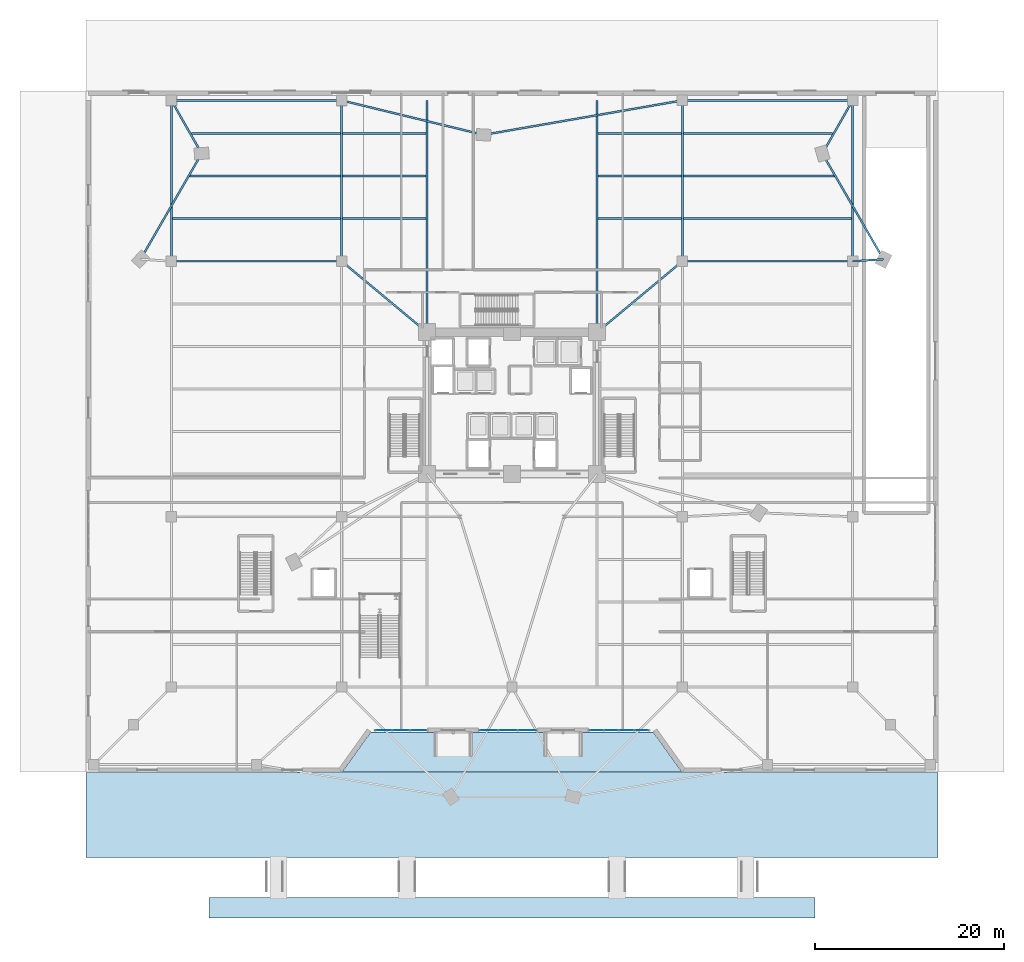
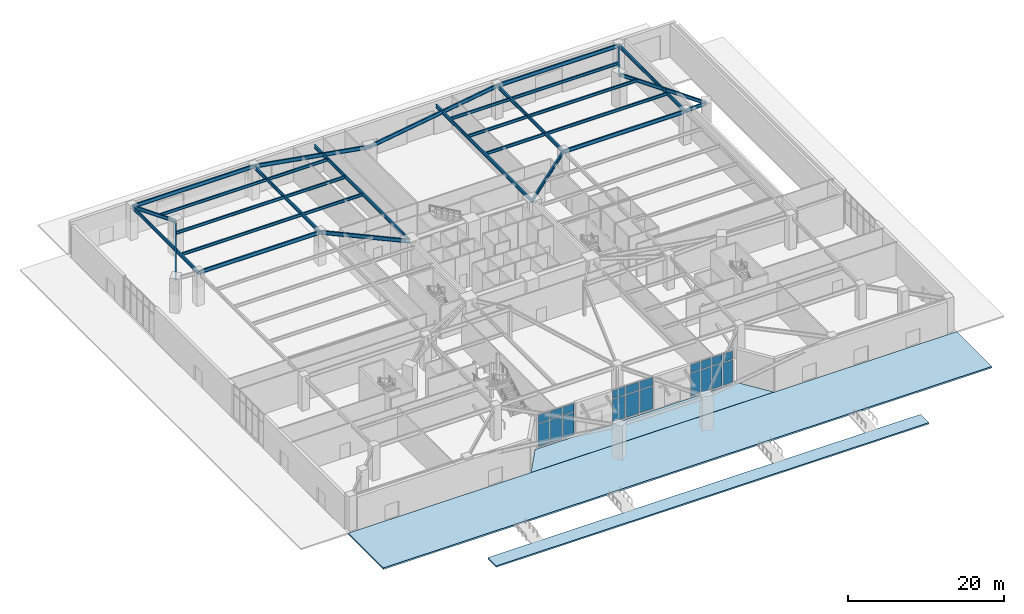
# One storey, part 14 of 30: 31 beams, 20 plates, 3 slabs, 3 elements without a shape of their own.
"""IFC4 building model written with IfcOpenShell, lengths in metres."""

from ifc_helpers import new_model, si_unit, direction, frame, origin, origin_2d, place, context, subcontext, project, spatial, polyline, rectangle, i_section, outline, extrude, source, transform, mapped, material, layer, layer_set, material_profile, profile_set, type_object, element, aggregate, save


model = new_model("IFC4")

# Units and contexts
model_context = context("Model", 3, precision=1e-05, world=origin(), true_north=direction((0.0, 1.0)))
body_context = subcontext(model_context, "Body", "Model", "MODEL_VIEW")
ifc_project = project(units=[si_unit("LENGTHUNIT", "METRE"), si_unit("AREAUNIT", "SQUARE_METRE"), si_unit("VOLUMEUNIT", "CUBIC_METRE"), si_unit("PLANEANGLEUNIT", "RADIAN"), si_unit("MASSUNIT", "GRAM", prefix="KILO")], contexts=[model_context])

# Site, building, storey
site_placement = place(None, origin())
site = spatial("IfcSite", under=ifc_project, at=site_placement, CompositionType="ELEMENT")
building_placement = place(site_placement, origin())
building = spatial("IfcBuilding", under=site, at=building_placement, Name="Liaohun Quay Tower", CompositionType="ELEMENT")
storey_placement = place(building_placement, origin())
storey = spatial("IfcBuildingStorey", under=building, at=storey_placement, Name="L01", CompositionType="ELEMENT", Elevation=0.0)

# Beams
ifc_material_1 = material(Name="Steel Q355D", Category="steel")
ifc_material_profile_1 = material_profile(ifc_material_1, i_section(OverallWidth=0.199951171875, OverallDepth=0.449951171875, WebThickness=0.009033203125, FlangeThickness=0.013916015625, at=origin_2d()), Name="HN450x200x9x14")
ifc_profile_set_1 = profile_set([ifc_material_profile_1], Name="Steel Q355D")
beam_type_1 = type_object("IfcBeamType", Name="BM-SEC-J1", PredefinedType="JOIST", material=ifc_profile_set_1)
shared_shape_1 = source(origin(), body_context, "Body", "SweptSolid", [
    extrude(i_section(OverallWidth=0.199951171875, OverallDepth=0.449951171875, WebThickness=0.009033203125, FlangeThickness=0.013916015625, at=origin_2d()), origin(), (0.0, 0.0, 1.0), 8.7998046875),
])
for number, where, z_axis, x_axis, name in (
    (1, (42.10009765625, 73.5, 4.925048828125), (1.0, 0.0, 0.0), (0.0, 1.0, 0.0), "L01 Composite Floor Joist SJ-20"),
    (2, (42.10009765625, 78.0, 4.925048828125), (1.0, 0.0, 0.0), (0.0, 1.0, 0.0), "L01 Composite Floor Joist SJ-21"),
    (3, (42.10009765625, 82.5, 4.925048828125), (1.0, 0.0, 0.0), (0.0, 1.0, 0.0), "L01 Composite Floor Joist SJ-22"),
    (4, (69.10009765625, 73.5, 4.925048828125), (1.0, 0.0, 0.0), (0.0, 1.0, 0.0), "L01 Composite Floor Joist SJ-31"),
    (5, (69.10009765625, 78.0, 4.925048828125), (1.0, 0.0, 0.0), (0.0, 1.0, 0.0), "L01 Composite Floor Joist SJ-32"),
    (6, (69.10009765625, 82.5, 4.925048828125), (1.0, 0.0, 0.0), (0.0, 1.0, 0.0), "L01 Composite Floor Joist SJ-33"),
):
    element("IfcBeam", number, at=place(storey_placement, frame(where, z_axis=z_axis, x_axis=x_axis)), inside=storey, type_object=beam_type_1, Name=name, PredefinedType="JOIST", context=body_context, shape_type="MappedRepresentation", body=[
        mapped(shared_shape_1, transform((0.0, 0.0, 0.0), x_axis=(1.0, 0.0, 0.0), y_axis=(0.0, 1.0, 0.0), z_axis=(0.0, 0.0, 1.0), scale=1.0)),
    ])
shared_shape_2 = source(origin(), body_context, "Body", "SweptSolid", [
    extrude(i_section(OverallWidth=0.199951171875, OverallDepth=0.449951171875, WebThickness=0.009033203125, FlangeThickness=0.013916015625, at=origin_2d()), origin(), (0.0, 0.0, 1.0), 17.7998046875),
])
for number, where, z_axis, x_axis, name in (
    (7, (24.10009765625, 73.5, 4.925048828125), (1.0, 0.0, 0.0), (0.0, 1.0, 0.0), "L01 Composite Floor Joist SJ-09"),
    (8, (78.10009765625, 73.5, 4.925048828125), (1.0, 0.0, 0.0), (0.0, 1.0, 0.0), "L01 Composite Floor Joist SJ-42"),
):
    element("IfcBeam", number, at=place(storey_placement, frame(where, z_axis=z_axis, x_axis=x_axis)), inside=storey, type_object=beam_type_1, Name=name, PredefinedType="JOIST", context=body_context, shape_type="MappedRepresentation", body=[
        mapped(shared_shape_2, transform((0.0, 0.0, 0.0), x_axis=(1.0, 0.0, 0.0), y_axis=(0.0, 1.0, 0.0), z_axis=(0.0, 0.0, 1.0), scale=1.0)),
    ])
shared_shape_3 = source(origin(), body_context, "Body", "SweptSolid", [
    extrude(i_section(OverallWidth=0.199951171875, OverallDepth=0.449951171875, WebThickness=0.009033203125, FlangeThickness=0.013916015625, at=origin_2d()), origin(), (0.0, 0.0, 1.0), 15.9658203125),
])
beam_1_placement = place(storey_placement, frame((25.93408203125, 78.0, 4.925048828125), z_axis=(1.0, 0.0, 0.0), x_axis=(0.0, 1.0, 0.0)))
element("IfcBeam", 9, at=beam_1_placement, inside=storey, type_object=beam_type_1, Name="L01 Composite Floor Joist SJ-10", PredefinedType="JOIST", context=body_context, shape_type="MappedRepresentation", body=[
    mapped(shared_shape_3, transform((0.0, 0.0, 0.0), x_axis=(1.0, 0.0, 0.0), y_axis=(0.0, 1.0, 0.0), z_axis=(0.0, 0.0, 1.0), scale=1.0)),
])
shared_shape_4 = source(origin(), body_context, "Body", "SweptSolid", [
    extrude(i_section(OverallWidth=0.199951171875, OverallDepth=0.449951171875, WebThickness=0.009033203125, FlangeThickness=0.013916015625, at=origin_2d()), origin(), (0.0, 0.0, 1.0), 15.788818359375),
])
beam_2_placement = place(storey_placement, frame((26.111083984375, 82.5, 4.925048828125), z_axis=(1.0, 0.0, 0.0), x_axis=(0.0, 1.0, 0.0)))
element("IfcBeam", 10, at=beam_2_placement, inside=storey, type_object=beam_type_1, Name="L01 Composite Floor Joist SJ-11", PredefinedType="JOIST", context=body_context, shape_type="MappedRepresentation", body=[
    mapped(shared_shape_4, transform((0.0, 0.0, 0.0), x_axis=(1.0, 0.0, 0.0), y_axis=(0.0, 1.0, 0.0), z_axis=(0.0, 0.0, 1.0), scale=1.0)),
])
shared_shape_5 = source(origin(), body_context, "Body", "SweptSolid", [
    extrude(i_section(OverallWidth=0.199951171875, OverallDepth=0.449951171875, WebThickness=0.009033203125, FlangeThickness=0.013916015625, at=origin_2d()), origin(), (0.0, 0.0, 1.0), 15.96484375),
])
beam_3_placement = place(storey_placement, frame((78.10009765625, 78.0, 4.925048828125), z_axis=(1.0, 0.0, 0.0), x_axis=(0.0, 1.0, 0.0)))
element("IfcBeam", 11, at=beam_3_placement, inside=storey, type_object=beam_type_1, Name="L01 Composite Floor Joist SJ-43", PredefinedType="JOIST", context=body_context, shape_type="MappedRepresentation", body=[
    mapped(shared_shape_5, transform((0.0, 0.0, 0.0), x_axis=(1.0, 0.0, 0.0), y_axis=(0.0, 1.0, 0.0), z_axis=(0.0, 0.0, 1.0), scale=1.0)),
])
shared_shape_6 = source(origin(), body_context, "Body", "SweptSolid", [
    extrude(i_section(OverallWidth=0.199951171875, OverallDepth=0.449951171875, WebThickness=0.009033203125, FlangeThickness=0.013916015625, at=origin_2d()), origin(), (0.0, 0.0, 1.0), 15.7919921875),
])
beam_4_placement = place(storey_placement, frame((78.10009765625, 82.5, 4.925048828125), z_axis=(1.0, 0.0, 0.0), x_axis=(0.0, 1.0, 0.0)))
element("IfcBeam", 12, at=beam_4_placement, inside=storey, type_object=beam_type_1, Name="L01 Composite Floor Joist SJ-44", PredefinedType="JOIST", context=body_context, shape_type="MappedRepresentation", body=[
    mapped(shared_shape_6, transform((0.0, 0.0, 0.0), x_axis=(1.0, 0.0, 0.0), y_axis=(0.0, 1.0, 0.0), z_axis=(0.0, 0.0, 1.0), scale=1.0)),
])
ifc_material_profile_2 = material_profile(ifc_material_1, i_section(OverallWidth=0.199951171875, OverallDepth=0.60009765625, WebThickness=0.010986328125, FlangeThickness=0.01708984375, at=origin_2d()), Name="HN600x200x11x17")
ifc_profile_set_2 = profile_set([ifc_material_profile_2], Name="Steel Q355D")
beam_type_2 = type_object("IfcBeamType", Name="BM-POD-G1", PredefinedType="BEAM", material=ifc_profile_set_2)
shared_shape_7 = source(origin(), body_context, "Body", "SweptSolid", [
    extrude(i_section(OverallWidth=0.199951171875, OverallDepth=0.60009765625, WebThickness=0.010986328125, FlangeThickness=0.01708984375, at=origin_2d()), origin(), (0.0, 0.0, 1.0), 18.0),
])
for number, where, z_axis, x_axis, name in (
    (13, (24.0, 69.0, 4.85009765625), (1.0, 0.0, 0.0), (0.0, 1.0, 0.0), "L01 Primary Grid Girder PG10-PG11"),
    (14, (78.0, 69.0, 4.85009765625), (1.0, 0.0, 0.0), (0.0, 1.0, 0.0), "L01 Primary Grid Girder PG12-PG13"),
    (15, (24.0, 86.0, 4.85009765625), (1.0, 0.0, 0.0), (0.0, 1.0, 0.0), "L01 Primary Grid Girder PG14-PG15"),
    (16, (78.0, 86.0, 4.85009765625), (1.0, 0.0, 0.0), (0.0, 1.0, 0.0), "L01 Primary Grid Girder PG17-PG18"),
):
    element("IfcBeam", number, at=place(storey_placement, frame(where, z_axis=z_axis, x_axis=x_axis)), inside=storey, type_object=beam_type_2, Name=name, PredefinedType="BEAM", context=body_context, shape_type="MappedRepresentation", body=[
        mapped(shared_shape_7, transform((0.0, 0.0, 0.0), x_axis=(1.0, 0.0, 0.0), y_axis=(0.0, 1.0, 0.0), z_axis=(0.0, 0.0, 1.0), scale=1.0)),
    ])
shared_shape_8 = source(origin(), body_context, "Body", "SweptSolid", [
    extrude(i_section(OverallWidth=0.199951171875, OverallDepth=0.60009765625, WebThickness=0.010986328125, FlangeThickness=0.01708984375, at=origin_2d()), origin(), (0.0, 0.0, 1.0), 11.71533203125),
])
for number, where, z_axis, x_axis, name in (
    (17, (42.0, 69.0, 4.85009765625), (0.768221279597, -0.640184399664, 0.0), (0.640184399664, 0.768221279597, 0.0), "L01 Primary Grid Girder PG11-CC6"),
    (18, (69.0, 61.5, 4.85009765625), (0.768221279597, 0.640184399664, 0.0), (-0.640184399664, 0.768221279597, 0.0), "L01 Primary Grid Girder CC4-PG12"),
):
    element("IfcBeam", number, at=place(storey_placement, frame(where, z_axis=z_axis, x_axis=x_axis)), inside=storey, type_object=beam_type_2, Name=name, PredefinedType="BEAM", context=body_context, shape_type="MappedRepresentation", body=[
        mapped(shared_shape_8, transform((0.0, 0.0, 0.0), x_axis=(1.0, 0.0, 0.0), y_axis=(0.0, 1.0, 0.0), z_axis=(0.0, 0.0, 1.0), scale=1.0)),
    ])
shared_shape_9 = source(origin(), body_context, "Body", "SweptSolid", [
    extrude(i_section(OverallWidth=0.199951171875, OverallDepth=0.60009765625, WebThickness=0.010986328125, FlangeThickness=0.01708984375, at=origin_2d()), origin(), (0.0, 0.0, 1.0), 15.4306640625),
])
beam_5_placement = place(storey_placement, frame((42.0, 86.0, 4.85009765625), z_axis=(0.971780133719, -0.235888473032, 0.0), x_axis=(0.235888473032, 0.971780133719, 0.0)))
element("IfcBeam", 19, at=beam_5_placement, inside=storey, type_object=beam_type_2, Name="L01 Primary Grid Girder PG15-PC06", PredefinedType="BEAM", context=body_context, shape_type="MappedRepresentation", body=[
    mapped(shared_shape_9, transform((0.0, 0.0, 0.0), x_axis=(1.0, 0.0, 0.0), y_axis=(0.0, 1.0, 0.0), z_axis=(0.0, 0.0, 1.0), scale=1.0)),
])
shared_shape_10 = source(origin(), body_context, "Body", "SweptSolid", [
    extrude(i_section(OverallWidth=0.199951171875, OverallDepth=0.60009765625, WebThickness=0.010986328125, FlangeThickness=0.01708984375, at=origin_2d()), origin(), (0.0, 0.0, 1.0), 21.31787109375),
])
beam_6_placement = place(storey_placement, frame((56.9951171875, 82.360107421875, 4.85009765625), z_axis=(0.985315548274, 0.170743287801, 0.0), x_axis=(-0.170743287801, 0.985315548274, 0.0)))
element("IfcBeam", 20, at=beam_6_placement, inside=storey, type_object=beam_type_2, Name="L01 Primary Grid Girder PC06-PG17", PredefinedType="BEAM", context=body_context, shape_type="MappedRepresentation", body=[
    mapped(shared_shape_10, transform((0.0, 0.0, 0.0), x_axis=(1.0, 0.0, 0.0), y_axis=(0.0, 1.0, 0.0), z_axis=(0.0, 0.0, 1.0), scale=1.0)),
])
ifc_material_profile_3 = material_profile(ifc_material_1, i_section(OverallWidth=0.199951171875, OverallDepth=0.550048828125, WebThickness=0.010009765625, FlangeThickness=0.01611328125, at=origin_2d()), Name="HN550x200x10x16")
ifc_profile_set_3 = profile_set([ifc_material_profile_3], Name="Steel Q355D")
beam_type_3 = type_object("IfcBeamType", Name="BM-POD-G2", PredefinedType="BEAM", material=ifc_profile_set_3)
shared_shape_11 = source(origin(), body_context, "Body", "SweptSolid", [
    extrude(i_section(OverallWidth=0.199951171875, OverallDepth=0.550048828125, WebThickness=0.010009765625, FlangeThickness=0.01611328125, at=origin_2d()), origin(), (0.0, 0.0, 1.0), 17.0),
])
for number, where, z_axis, x_axis, name in (
    (21, (24.0, 69.0, 4.875), (0.0, 1.0, 0.0), (-1.0, 0.0, 0.0), "L01 Primary Grid Girder PG10-PG14"),
    (22, (42.0, 69.0, 4.875), (0.0, 1.0, 0.0), (-1.0, 0.0, 0.0), "L01 Primary Grid Girder PG11-PG15"),
    (23, (78.0, 69.0, 4.875), (0.0, 1.0, 0.0), (-1.0, 0.0, 0.0), "L01 Primary Grid Girder PG12-PG17"),
    (24, (96.0, 69.0, 4.875), (0.0, 1.0, 0.0), (-1.0, 0.0, 0.0), "L01 Primary Grid Girder PG13-PG18"),
):
    element("IfcBeam", number, at=place(storey_placement, frame(where, z_axis=z_axis, x_axis=x_axis)), inside=storey, type_object=beam_type_3, Name=name, PredefinedType="BEAM", context=body_context, shape_type="MappedRepresentation", body=[
        mapped(shared_shape_11, transform((0.0, 0.0, 0.0), x_axis=(1.0, 0.0, 0.0), y_axis=(0.0, 1.0, 0.0), z_axis=(0.0, 0.0, 1.0), scale=1.0)),
    ])
shared_shape_12 = source(origin(), body_context, "Body", "SweptSolid", [
    extrude(i_section(OverallWidth=0.199951171875, OverallDepth=0.550048828125, WebThickness=0.010009765625, FlangeThickness=0.01611328125, at=origin_2d()), origin(), (0.0, 0.0, 1.0), 6.45703125),
])
beam_7_placement = place(storey_placement, frame((27.198974609375, 80.39111328125, 4.875), z_axis=(-0.49542619565, 0.868650035782, 0.0), x_axis=(-0.868650035782, -0.49542619565, 0.0)))
element("IfcBeam", 25, at=beam_7_placement, inside=storey, type_object=beam_type_3, Name="L01 Primary Grid Girder PC05-PG14", PredefinedType="BEAM", context=body_context, shape_type="MappedRepresentation", body=[
    mapped(shared_shape_12, transform((0.0, 0.0, 0.0), x_axis=(1.0, 0.0, 0.0), y_axis=(0.0, 1.0, 0.0), z_axis=(0.0, 0.0, 1.0), scale=1.0)),
])
shared_shape_13 = source(origin(), body_context, "Body", "SweptSolid", [
    extrude(i_section(OverallWidth=0.199951171875, OverallDepth=0.550048828125, WebThickness=0.010009765625, FlangeThickness=0.01611328125, at=origin_2d()), origin(), (0.0, 0.0, 1.0), 12.902587890625),
])
beam_8_placement = place(storey_placement, frame((20.748046875, 69.217041015625, 4.875), z_axis=(0.49997524318, 0.866039696669, 0.0), x_axis=(-0.866039696669, 0.49997524318, 0.0)))
element("IfcBeam", 26, at=beam_8_placement, inside=storey, type_object=beam_type_3, Name="L01 Primary Grid Girder PC03-PC05", PredefinedType="BEAM", context=body_context, shape_type="MappedRepresentation", body=[
    mapped(shared_shape_13, transform((0.0, 0.0, 0.0), x_axis=(1.0, 0.0, 0.0), y_axis=(0.0, 1.0, 0.0), z_axis=(0.0, 0.0, 1.0), scale=1.0)),
])
shared_shape_14 = source(origin(), body_context, "Body", "SweptSolid", [
    extrude(i_section(OverallWidth=0.199951171875, OverallDepth=0.550048828125, WebThickness=0.010009765625, FlangeThickness=0.01611328125, at=origin_2d()), origin(), (0.0, 0.0, 1.0), 6.462158203125),
])
beam_9_placement = place(storey_placement, frame((92.802978515625, 80.384033203125, 4.875), z_axis=(0.494726480393, 0.869048738333, 0.0), x_axis=(-0.869048738333, 0.494726480393, 0.0)))
element("IfcBeam", 27, at=beam_9_placement, inside=storey, type_object=beam_type_3, Name="L01 Primary Grid Girder PC07-PG18", PredefinedType="BEAM", context=body_context, shape_type="MappedRepresentation", body=[
    mapped(shared_shape_14, transform((0.0, 0.0, 0.0), x_axis=(1.0, 0.0, 0.0), y_axis=(0.0, 1.0, 0.0), z_axis=(0.0, 0.0, 1.0), scale=1.0)),
])
shared_shape_15 = source(origin(), body_context, "Body", "SweptSolid", [
    extrude(i_section(OverallWidth=0.199951171875, OverallDepth=0.550048828125, WebThickness=0.010009765625, FlangeThickness=0.01611328125, at=origin_2d()), origin(), (0.0, 0.0, 1.0), 3.262939453125),
])
beam_10_placement = place(storey_placement, frame((99.256103515625, 69.2119140625, 4.875), z_axis=(-0.997888864182, -0.064944705264, 0.0), x_axis=(0.064944705264, -0.997888864182, 0.0)))
element("IfcBeam", 28, at=beam_10_placement, inside=storey, type_object=beam_type_3, Name="L01 Primary Grid Girder PC09-PG13", PredefinedType="BEAM", context=body_context, shape_type="MappedRepresentation", body=[
    mapped(shared_shape_15, transform((0.0, 0.0, 0.0), x_axis=(1.0, 0.0, 0.0), y_axis=(0.0, 1.0, 0.0), z_axis=(0.0, 0.0, 1.0), scale=1.0)),
])
shared_shape_16 = source(origin(), body_context, "Body", "SweptSolid", [
    extrude(i_section(OverallWidth=0.199951171875, OverallDepth=0.550048828125, WebThickness=0.010009765625, FlangeThickness=0.01611328125, at=origin_2d()), origin(), (0.0, 0.0, 1.0), 12.90185546875),
])
beam_11_placement = place(storey_placement, frame((92.802978515625, 80.384033203125, 4.875), z_axis=(0.500168512593, -0.865928091131, 0.0), x_axis=(0.865928091131, 0.500168512593, 0.0)))
element("IfcBeam", 29, at=beam_11_placement, inside=storey, type_object=beam_type_3, Name="L01 Primary Grid Girder PC07-PC09", PredefinedType="BEAM", context=body_context, shape_type="MappedRepresentation", body=[
    mapped(shared_shape_16, transform((0.0, 0.0, 0.0), x_axis=(1.0, 0.0, 0.0), y_axis=(0.0, 1.0, 0.0), z_axis=(0.0, 0.0, 1.0), scale=1.0)),
])
shared_shape_17 = source(origin(), body_context, "Body", "SweptSolid", [
    extrude(i_section(OverallWidth=0.199951171875, OverallDepth=0.550048828125, WebThickness=0.010009765625, FlangeThickness=0.01611328125, at=origin_2d()), origin(), (0.0, 0.0, 1.0), 24.5),
])
for number, where, z_axis, x_axis, name in (
    (30, (51.0, 61.5, 4.875), (0.0, 1.0, 0.0), (-1.0, 0.0, 0.0), "L01 Spine Girder X51-N"),
    (31, (69.0, 61.5, 4.875), (0.0, 1.0, 0.0), (-1.0, 0.0, 0.0), "L01 Spine Girder X69-N"),
):
    element("IfcBeam", number, at=place(storey_placement, frame(where, z_axis=z_axis, x_axis=x_axis)), inside=storey, type_object=beam_type_3, Name=name, PredefinedType="BEAM", context=body_context, shape_type="MappedRepresentation", body=[
        mapped(shared_shape_17, transform((0.0, 0.0, 0.0), x_axis=(1.0, 0.0, 0.0), y_axis=(0.0, 1.0, 0.0), z_axis=(0.0, 0.0, 1.0), scale=1.0)),
    ])

# Slabs
ifc_material_2 = material(Name="Granite stone slab on Concrete C40", Category="masonry")
ifc_layer_1 = layer(ifc_material_2, 0.219970703125, Name="Granite stone slab on Concrete C40", Category="masonry")
ifc_layer_set_1 = layer_set([ifc_layer_1], Name="Granite stone slab on Concrete C40")
slab_type = type_object("IfcSlabType", Name="SLB-PAV-220", PredefinedType="USERDEFINED", material=ifc_layer_set_1)
slab_1_placement = place(storey_placement, frame((0.0, 0.0, -0.25)))
element("IfcSlab", 32, at=slab_1_placement, inside=storey, type_object=slab_type, Name="South Waterfront Upper Promenade Plaza", ObjectType="PAVING", PredefinedType="USERDEFINED", context=body_context, shape_type="SweptSolid", body=[
    extrude(outline(polyline([(15.0, 6.0), (105.0, 6.0), (105.0, 14.97998046875), (15.0, 14.97998046875), (15.0, 6.0)])), origin(), (0.0, 0.0, 1.0), 0.25),
])
slab_2_placement = place(storey_placement, frame((0.0, 0.0, -0.219970703125)))
element("IfcSlab", 33, at=slab_2_placement, inside=storey, type_object=slab_type, Name="Riverfront Recessed Portico Forecourt", ObjectType="PAVING", PredefinedType="USERDEFINED", context=body_context, shape_type="SweptSolid", body=[
    extrude(outline(polyline([(42.030029296875, 15.0), (77.969970703125, 15.0), (74.969970703125, 19.179931640625), (45.030029296875, 19.179931640625), (42.030029296875, 15.0)])), origin(), (0.0, 0.0, 1.0), 0.219970703125),
])
slab_3_placement = place(storey_placement, frame((0.0, 0.0, -0.580078125)))
element("IfcSlab", 34, at=slab_3_placement, inside=storey, type_object=slab_type, Name="Hun River Lower Quay Viewing Apron", ObjectType="PAVING", PredefinedType="USERDEFINED", context=body_context, shape_type="SweptSolid", body=[
    extrude(outline(polyline([(28.0, -0.39990234375), (92.0, -0.39990234375), (92.0, 1.75), (28.0, 1.75), (28.0, -0.39990234375)])), origin(), (0.0, 0.0, 1.0), 0.219970703125),
])

# Curtain wall, plates
ifc_material_3 = material(Name="Thermally broken waterfront lobby unitised curtain wall")
ifc_layer_2 = layer(ifc_material_3, 0.219970703125, Name="Thermally broken waterfront lobby unitised curtain wall")
ifc_layer_set_2 = layer_set([ifc_layer_2], Name="Thermally broken waterfront lobby unitised curtain wall")
curtain_wall_type = type_object("IfcCurtainWallType", Name="CW-POD-PROM", PredefinedType="NOTDEFINED", material=ifc_layer_set_2)
curtain_wall_1_placement = place(storey_placement, origin())
curtain_wall_1 = element("IfcCurtainWall", 35, at=curtain_wall_1_placement, inside=storey, type_object=curtain_wall_type, Name="L01 Waterfront Lobby Curtain Wall CW1-1", PredefinedType="NOTDEFINED")
ifc_material_4 = material(Name="Triple Low-E clear insulated glass unit", Category="glass")
ifc_layer_3 = layer(ifc_material_4, 0.0439453125, Name="Triple Low-E clear insulated glass unit", Category="glass")
ifc_layer_set_3 = layer_set([ifc_layer_3], Name="Triple Low-E clear insulated glass unit")
plate_type = type_object("IfcPlateType", Name="PLT-CWP-GLZ1", PredefinedType="CURTAIN_PANEL", material=ifc_layer_set_3)
shared_shape_18 = source(origin(), body_context, "Body", "SweptSolid", [
    extrude(rectangle(XDim=1.686767578125, YDim=0.0439453125, at=origin_2d()), origin(), (0.0, 0.0, 1.0), 3.55810546875),
])
plate_1_placement = place(storey_placement, frame((46.4453125, 19.429931640625, 0.099853515625), z_axis=(0.0, 0.0, 1.0), x_axis=(1.0, 0.0, 0.0)))
plate_1 = element("IfcPlate", 36, at=plate_1_placement, type_object=plate_type, Name="CW1 panel 1.1", PredefinedType="CURTAIN_PANEL", context=body_context, shape_type="MappedRepresentation", body=[
    mapped(shared_shape_18, transform((0.0, 0.0, 0.0), x_axis=(1.0, 0.0, 0.0), y_axis=(0.0, 1.0, 0.0), z_axis=(0.0, 0.0, 1.0), scale=1.0)),
])
plate_2_placement = place(storey_placement, frame((50.11865234375, 19.429931640625, 0.099853515625), z_axis=(0.0, 0.0, 1.0), x_axis=(1.0, 0.0, 0.0)))
plate_2 = element("IfcPlate", 37, at=plate_2_placement, type_object=plate_type, Name="CW1 panel 3.1", PredefinedType="CURTAIN_PANEL", context=body_context, shape_type="MappedRepresentation", body=[
    mapped(shared_shape_18, transform((0.0, 0.0, 0.0), x_axis=(1.0, 0.0, 0.0), y_axis=(0.0, 1.0, 0.0), z_axis=(0.0, 0.0, 1.0), scale=1.0)),
])
shared_shape_19 = source(origin(), body_context, "Body", "SweptSolid", [
    extrude(rectangle(XDim=1.686767578125, YDim=0.0439453125, at=origin_2d()), origin(), (0.0, 0.0, 1.0), 1.2919921875),
])
plate_3_placement = place(storey_placement, frame((46.4453125, 19.429931640625, 3.758056640625), z_axis=(0.0, 0.0, 1.0), x_axis=(1.0, 0.0, 0.0)))
plate_3 = element("IfcPlate", 38, at=plate_3_placement, type_object=plate_type, Name="CW1 panel 1.2", PredefinedType="CURTAIN_PANEL", context=body_context, shape_type="MappedRepresentation", body=[
    mapped(shared_shape_19, transform((0.0, 0.0, 0.0), x_axis=(1.0, 0.0, 0.0), y_axis=(0.0, 1.0, 0.0), z_axis=(0.0, 0.0, 1.0), scale=1.0)),
])
plate_4_placement = place(storey_placement, frame((50.11865234375, 19.429931640625, 3.758056640625), z_axis=(0.0, 0.0, 1.0), x_axis=(1.0, 0.0, 0.0)))
plate_4 = element("IfcPlate", 39, at=plate_4_placement, type_object=plate_type, Name="CW1 panel 3.2", PredefinedType="CURTAIN_PANEL", context=body_context, shape_type="MappedRepresentation", body=[
    mapped(shared_shape_19, transform((0.0, 0.0, 0.0), x_axis=(1.0, 0.0, 0.0), y_axis=(0.0, 1.0, 0.0), z_axis=(0.0, 0.0, 1.0), scale=1.0)),
])
shared_shape_20 = source(origin(), body_context, "Body", "SweptSolid", [
    extrude(rectangle(XDim=1.74658203125, YDim=0.0439453125, at=origin_2d()), origin(), (0.0, 0.0, 1.0), 3.55810546875),
])
plate_5_placement = place(storey_placement, frame((48.281982421875, 19.429931640625, 0.099853515625), z_axis=(0.0, 0.0, 1.0), x_axis=(1.0, 0.0, 0.0)))
plate_5 = element("IfcPlate", 40, at=plate_5_placement, type_object=plate_type, Name="CW1 panel 2.1", PredefinedType="CURTAIN_PANEL", context=body_context, shape_type="MappedRepresentation", body=[
    mapped(shared_shape_20, transform((0.0, 0.0, 0.0), x_axis=(1.0, 0.0, 0.0), y_axis=(0.0, 1.0, 0.0), z_axis=(0.0, 0.0, 1.0), scale=1.0)),
])
shared_shape_21 = source(origin(), body_context, "Body", "SweptSolid", [
    extrude(rectangle(XDim=1.74658203125, YDim=0.0439453125, at=origin_2d()), origin(), (0.0, 0.0, 1.0), 1.2919921875),
])
plate_6_placement = place(storey_placement, frame((48.281982421875, 19.429931640625, 3.758056640625), z_axis=(0.0, 0.0, 1.0), x_axis=(1.0, 0.0, 0.0)))
plate_6 = element("IfcPlate", 41, at=plate_6_placement, type_object=plate_type, Name="CW1 panel 2.2", PredefinedType="CURTAIN_PANEL", context=body_context, shape_type="MappedRepresentation", body=[
    mapped(shared_shape_21, transform((0.0, 0.0, 0.0), x_axis=(1.0, 0.0, 0.0), y_axis=(0.0, 1.0, 0.0), z_axis=(0.0, 0.0, 1.0), scale=1.0)),
])
aggregate(curtain_wall_1, [plate_1, plate_3, plate_5, plate_6, plate_2, plate_4])

curtain_wall_2_placement = place(storey_placement, origin())
curtain_wall_2 = element("IfcCurtainWall", 42, at=curtain_wall_2_placement, inside=storey, type_object=curtain_wall_type, Name="L01 Waterfront Lobby Curtain Wall CW1-2", PredefinedType="NOTDEFINED")
shared_shape_22 = source(origin(), body_context, "Body", "SweptSolid", [
    extrude(rectangle(XDim=1.88671875, YDim=0.0439453125, at=origin_2d()), origin(), (0.0, 0.0, 1.0), 3.55810546875),
])
plate_7_placement = place(storey_placement, frame((57.54541015625, 19.429931640625, 0.099853515625), z_axis=(0.0, 0.0, 1.0), x_axis=(1.0, 0.0, 0.0)))
plate_7 = element("IfcPlate", 43, at=plate_7_placement, type_object=plate_type, Name="CW1 panel 1.1", PredefinedType="CURTAIN_PANEL", context=body_context, shape_type="MappedRepresentation", body=[
    mapped(shared_shape_22, transform((0.0, 0.0, 0.0), x_axis=(1.0, 0.0, 0.0), y_axis=(0.0, 1.0, 0.0), z_axis=(0.0, 0.0, 1.0), scale=1.0)),
])
plate_8_placement = place(storey_placement, frame((61.61865234375, 19.429931640625, 0.099853515625), z_axis=(0.0, 0.0, 1.0), x_axis=(1.0, 0.0, 0.0)))
plate_8 = element("IfcPlate", 44, at=plate_8_placement, type_object=plate_type, Name="CW1 panel 3.1", PredefinedType="CURTAIN_PANEL", context=body_context, shape_type="MappedRepresentation", body=[
    mapped(shared_shape_22, transform((0.0, 0.0, 0.0), x_axis=(1.0, 0.0, 0.0), y_axis=(0.0, 1.0, 0.0), z_axis=(0.0, 0.0, 1.0), scale=1.0)),
])
shared_shape_23 = source(origin(), body_context, "Body", "SweptSolid", [
    extrude(rectangle(XDim=1.88671875, YDim=0.0439453125, at=origin_2d()), origin(), (0.0, 0.0, 1.0), 1.2919921875),
])
plate_9_placement = place(storey_placement, frame((57.54541015625, 19.429931640625, 3.758056640625), z_axis=(0.0, 0.0, 1.0), x_axis=(1.0, 0.0, 0.0)))
plate_9 = element("IfcPlate", 45, at=plate_9_placement, type_object=plate_type, Name="CW1 panel 1.2", PredefinedType="CURTAIN_PANEL", context=body_context, shape_type="MappedRepresentation", body=[
    mapped(shared_shape_23, transform((0.0, 0.0, 0.0), x_axis=(1.0, 0.0, 0.0), y_axis=(0.0, 1.0, 0.0), z_axis=(0.0, 0.0, 1.0), scale=1.0)),
])
plate_10_placement = place(storey_placement, frame((61.61865234375, 19.429931640625, 3.758056640625), z_axis=(0.0, 0.0, 1.0), x_axis=(1.0, 0.0, 0.0)))
plate_10 = element("IfcPlate", 46, at=plate_10_placement, type_object=plate_type, Name="CW1 panel 3.2", PredefinedType="CURTAIN_PANEL", context=body_context, shape_type="MappedRepresentation", body=[
    mapped(shared_shape_23, transform((0.0, 0.0, 0.0), x_axis=(1.0, 0.0, 0.0), y_axis=(0.0, 1.0, 0.0), z_axis=(0.0, 0.0, 1.0), scale=1.0)),
])
shared_shape_24 = source(origin(), body_context, "Body", "SweptSolid", [
    extrude(rectangle(XDim=1.94677734375, YDim=0.0439453125, at=origin_2d()), origin(), (0.0, 0.0, 1.0), 3.55810546875),
])
plate_11_placement = place(storey_placement, frame((59.58203125, 19.429931640625, 0.099853515625), z_axis=(0.0, 0.0, 1.0), x_axis=(1.0, 0.0, 0.0)))
plate_11 = element("IfcPlate", 47, at=plate_11_placement, type_object=plate_type, Name="CW1 panel 2.1", PredefinedType="CURTAIN_PANEL", context=body_context, shape_type="MappedRepresentation", body=[
    mapped(shared_shape_24, transform((0.0, 0.0, 0.0), x_axis=(1.0, 0.0, 0.0), y_axis=(0.0, 1.0, 0.0), z_axis=(0.0, 0.0, 1.0), scale=1.0)),
])
shared_shape_25 = source(origin(), body_context, "Body", "SweptSolid", [
    extrude(rectangle(XDim=1.94677734375, YDim=0.0439453125, at=origin_2d()), origin(), (0.0, 0.0, 1.0), 1.2919921875),
])
plate_12_placement = place(storey_placement, frame((59.58203125, 19.429931640625, 3.758056640625), z_axis=(0.0, 0.0, 1.0), x_axis=(1.0, 0.0, 0.0)))
plate_12 = element("IfcPlate", 48, at=plate_12_placement, type_object=plate_type, Name="CW1 panel 2.2", PredefinedType="CURTAIN_PANEL", context=body_context, shape_type="MappedRepresentation", body=[
    mapped(shared_shape_25, transform((0.0, 0.0, 0.0), x_axis=(1.0, 0.0, 0.0), y_axis=(0.0, 1.0, 0.0), z_axis=(0.0, 0.0, 1.0), scale=1.0)),
])
aggregate(curtain_wall_2, [plate_7, plate_9, plate_11, plate_12, plate_8, plate_10])

curtain_wall_3_placement = place(storey_placement, origin())
curtain_wall_3 = element("IfcCurtainWall", 49, at=curtain_wall_3_placement, inside=storey, type_object=curtain_wall_type, Name="L01 Waterfront Lobby Curtain Wall CW1-3", PredefinedType="NOTDEFINED")
shared_shape_26 = source(origin(), body_context, "Body", "SweptSolid", [
    extrude(rectangle(XDim=1.428955078125, YDim=0.0439453125, at=origin_2d()), origin(), (0.0, 0.0, 1.0), 3.55810546875),
])
plate_13_placement = place(storey_placement, frame((68.91650390625, 19.429931640625, 0.099853515625), z_axis=(0.0, 0.0, 1.0), x_axis=(1.0, 0.0, 0.0)))
plate_13 = element("IfcPlate", 50, at=plate_13_placement, type_object=plate_type, Name="CW1 panel 1.1", PredefinedType="CURTAIN_PANEL", context=body_context, shape_type="MappedRepresentation", body=[
    mapped(shared_shape_26, transform((0.0, 0.0, 0.0), x_axis=(1.0, 0.0, 0.0), y_axis=(0.0, 1.0, 0.0), z_axis=(0.0, 0.0, 1.0), scale=1.0)),
])
plate_14_placement = place(storey_placement, frame((73.68359375, 19.429931640625, 0.099853515625), z_axis=(0.0, 0.0, 1.0), x_axis=(1.0, 0.0, 0.0)))
plate_14 = element("IfcPlate", 51, at=plate_14_placement, type_object=plate_type, Name="CW1 panel 4.1", PredefinedType="CURTAIN_PANEL", context=body_context, shape_type="MappedRepresentation", body=[
    mapped(shared_shape_26, transform((0.0, 0.0, 0.0), x_axis=(1.0, 0.0, 0.0), y_axis=(0.0, 1.0, 0.0), z_axis=(0.0, 0.0, 1.0), scale=1.0)),
])
shared_shape_27 = source(origin(), body_context, "Body", "SweptSolid", [
    extrude(rectangle(XDim=1.428955078125, YDim=0.0439453125, at=origin_2d()), origin(), (0.0, 0.0, 1.0), 1.2919921875),
])
plate_15_placement = place(storey_placement, frame((68.91650390625, 19.429931640625, 3.758056640625), z_axis=(0.0, 0.0, 1.0), x_axis=(1.0, 0.0, 0.0)))
plate_15 = element("IfcPlate", 52, at=plate_15_placement, type_object=plate_type, Name="CW1 panel 1.2", PredefinedType="CURTAIN_PANEL", context=body_context, shape_type="MappedRepresentation", body=[
    mapped(shared_shape_27, transform((0.0, 0.0, 0.0), x_axis=(1.0, 0.0, 0.0), y_axis=(0.0, 1.0, 0.0), z_axis=(0.0, 0.0, 1.0), scale=1.0)),
])
plate_16_placement = place(storey_placement, frame((73.68359375, 19.429931640625, 3.758056640625), z_axis=(0.0, 0.0, 1.0), x_axis=(1.0, 0.0, 0.0)))
plate_16 = element("IfcPlate", 53, at=plate_16_placement, type_object=plate_type, Name="CW1 panel 4.2", PredefinedType="CURTAIN_PANEL", context=body_context, shape_type="MappedRepresentation", body=[
    mapped(shared_shape_27, transform((0.0, 0.0, 0.0), x_axis=(1.0, 0.0, 0.0), y_axis=(0.0, 1.0, 0.0), z_axis=(0.0, 0.0, 1.0), scale=1.0)),
])
shared_shape_28 = source(origin(), body_context, "Body", "SweptSolid", [
    extrude(rectangle(XDim=1.489013671875, YDim=0.0439453125, at=origin_2d()), origin(), (0.0, 0.0, 1.0), 3.55810546875),
])
plate_17_placement = place(storey_placement, frame((70.49560546875, 19.429931640625, 0.099853515625), z_axis=(0.0, 0.0, 1.0), x_axis=(1.0, 0.0, 0.0)))
plate_17 = element("IfcPlate", 54, at=plate_17_placement, type_object=plate_type, Name="CW1 panel 2.1", PredefinedType="CURTAIN_PANEL", context=body_context, shape_type="MappedRepresentation", body=[
    mapped(shared_shape_28, transform((0.0, 0.0, 0.0), x_axis=(1.0, 0.0, 0.0), y_axis=(0.0, 1.0, 0.0), z_axis=(0.0, 0.0, 1.0), scale=1.0)),
])
plate_18_placement = place(storey_placement, frame((72.1044921875, 19.429931640625, 0.099853515625), z_axis=(0.0, 0.0, 1.0), x_axis=(1.0, 0.0, 0.0)))
plate_18 = element("IfcPlate", 55, at=plate_18_placement, type_object=plate_type, Name="CW1 panel 3.1", PredefinedType="CURTAIN_PANEL", context=body_context, shape_type="MappedRepresentation", body=[
    mapped(shared_shape_28, transform((0.0, 0.0, 0.0), x_axis=(1.0, 0.0, 0.0), y_axis=(0.0, 1.0, 0.0), z_axis=(0.0, 0.0, 1.0), scale=1.0)),
])
shared_shape_29 = source(origin(), body_context, "Body", "SweptSolid", [
    extrude(rectangle(XDim=1.489013671875, YDim=0.0439453125, at=origin_2d()), origin(), (0.0, 0.0, 1.0), 1.2919921875),
])
plate_19_placement = place(storey_placement, frame((70.49560546875, 19.429931640625, 3.758056640625), z_axis=(0.0, 0.0, 1.0), x_axis=(1.0, 0.0, 0.0)))
plate_19 = element("IfcPlate", 56, at=plate_19_placement, type_object=plate_type, Name="CW1 panel 2.2", PredefinedType="CURTAIN_PANEL", context=body_context, shape_type="MappedRepresentation", body=[
    mapped(shared_shape_29, transform((0.0, 0.0, 0.0), x_axis=(1.0, 0.0, 0.0), y_axis=(0.0, 1.0, 0.0), z_axis=(0.0, 0.0, 1.0), scale=1.0)),
])
plate_20_placement = place(storey_placement, frame((72.1044921875, 19.429931640625, 3.758056640625), z_axis=(0.0, 0.0, 1.0), x_axis=(1.0, 0.0, 0.0)))
plate_20 = element("IfcPlate", 57, at=plate_20_placement, type_object=plate_type, Name="CW1 panel 3.2", PredefinedType="CURTAIN_PANEL", context=body_context, shape_type="MappedRepresentation", body=[
    mapped(shared_shape_29, transform((0.0, 0.0, 0.0), x_axis=(1.0, 0.0, 0.0), y_axis=(0.0, 1.0, 0.0), z_axis=(0.0, 0.0, 1.0), scale=1.0)),
])
aggregate(curtain_wall_3, [plate_13, plate_15, plate_17, plate_19, plate_18, plate_20, plate_14, plate_16])

save(model, "model.ifc")
